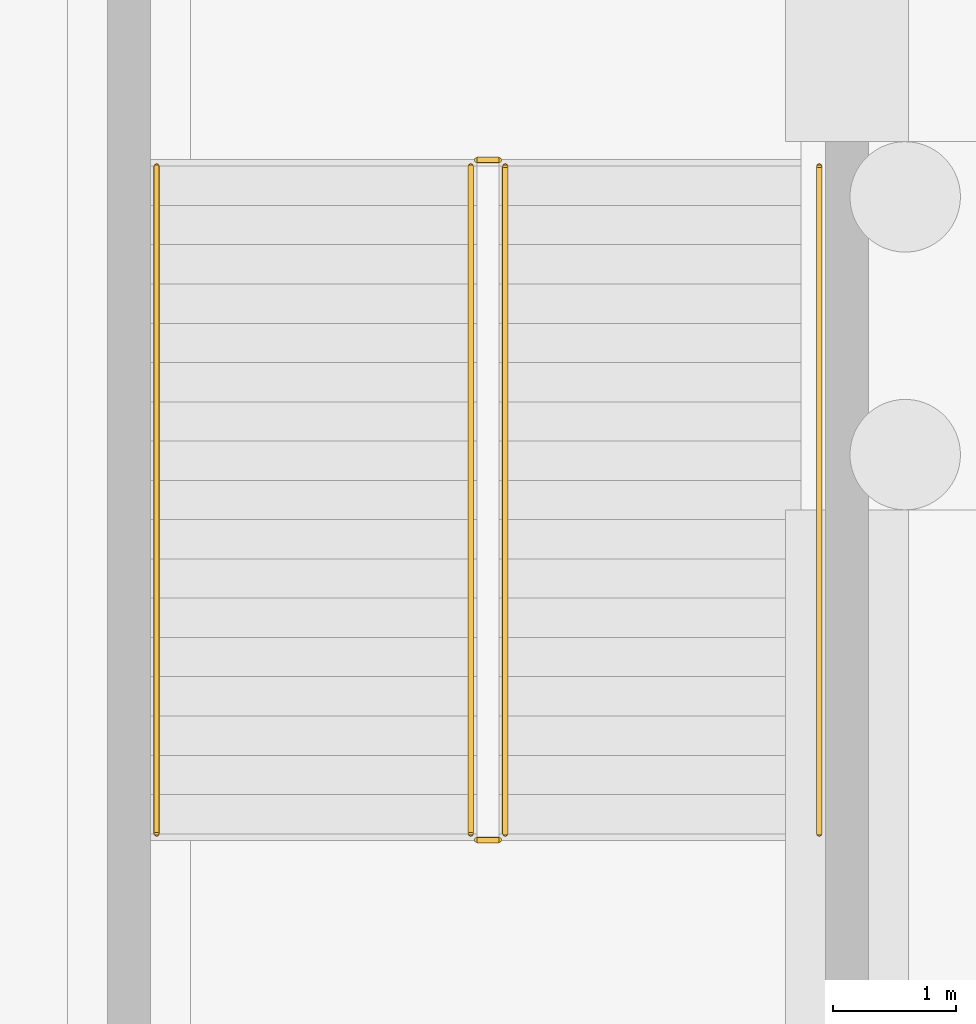
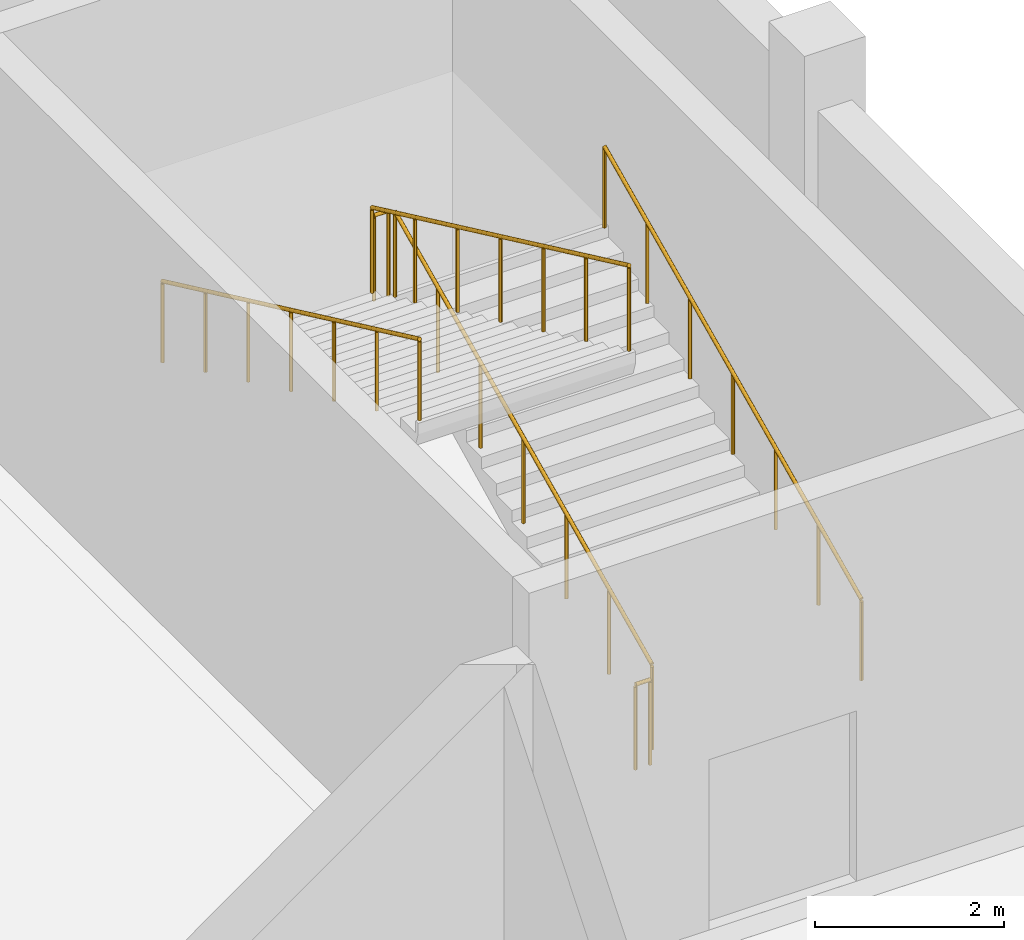
# One storey, part 56 of 58: 6 railings.
"""IFC4 building model written with IfcOpenShell, lengths in metres."""

from ifc_helpers import new_model, si_unit, direction, frame, origin, origin_2d, place, context, subcontext, project, spatial, circle, extrude, material, type_object, element, save


model = new_model("IFC4")

# Units and contexts
model_context = context("Model", 3, precision=1e-05, world=origin(), true_north=direction((0.0, 1.0)))
body_context = subcontext(model_context, "Body", "Model", "MODEL_VIEW")
ifc_project = project(units=[si_unit("LENGTHUNIT", "METRE"), si_unit("AREAUNIT", "SQUARE_METRE"), si_unit("VOLUMEUNIT", "CUBIC_METRE"), si_unit("PLANEANGLEUNIT", "RADIAN"), si_unit("MASSUNIT", "GRAM", prefix="KILO")], contexts=[model_context])

# Site, building, storey
site_placement = place(None, origin())
site = spatial("IfcSite", under=ifc_project, at=site_placement, CompositionType="ELEMENT")
building_placement = place(site_placement, origin())
building = spatial("IfcBuilding", under=site, at=building_placement, Name="Qamarlyn Nura Convention Centre", CompositionType="ELEMENT")
storey_placement = place(building_placement, frame((0.0, 0.0, -5.39990234375)))
storey = spatial("IfcBuildingStorey", under=building, at=storey_placement, Name="B01", CompositionType="ELEMENT", Elevation=-5.39990234375)

# Railings
ifc_material = material(Name="Marine Grade 316 stainless steel", Category="steel")
railing_type_1 = type_object("IfcRailingType", Name="GRD-STAIR-112", PredefinedType="BALUSTRADE", material=ifc_material)
railing_1_placement = place(storey_placement, frame((187.590087890625, 98.860107421875, 0.14990234375)))
element("IfcRailing", 1, at=railing_1_placement, inside=storey, type_object=railing_type_1, Name="B01 ST-18 stair guard 1", PredefinedType="BALUSTRADE", context=body_context, shape_type="SweptSolid", body=[
    extrude(circle(Radius=0.02392578125, at=origin_2d()), frame((0.0, 0.0, 1.09619140625), z_axis=(0.0, 0.90545405566, 0.424444287379), x_axis=(-1.0, 0.0, 0.0)), (0.0, 0.0, 1.0), 6.008056640625),
    extrude(circle(Radius=0.02099609375, at=origin_2d()), origin(), (0.0, 0.0, 1.0), 1.070068359375),
    extrude(circle(Radius=0.02099609375, at=origin_2d()), frame((0.0, 0.90673828125, 0.425048828125)), (0.0, 0.0, 1.0), 1.070068359375),
    extrude(circle(Radius=0.02099609375, at=origin_2d()), frame((0.0, 1.813232421875, 0.85009765625)), (0.0, 0.0, 1.0), 1.070068359375),
    extrude(circle(Radius=0.02099609375, at=origin_2d()), frame((0.0, 2.719970703125, 1.27490234375)), (0.0, 0.0, 1.0), 1.070068359375),
    extrude(circle(Radius=0.02099609375, at=origin_2d()), frame((0.0, 3.626708984375, 1.699951171875)), (0.0, 0.0, 1.0), 1.070068359375),
    extrude(circle(Radius=0.02099609375, at=origin_2d()), frame((0.0, 4.533203125, 2.125)), (0.0, 0.0, 1.0), 1.070068359375),
    extrude(circle(Radius=0.02099609375, at=origin_2d()), frame((0.0, 5.43994140625, 2.550048828125)), (0.0, 0.0, 1.0), 1.070068359375),
])
railing_2_placement = place(storey_placement, frame((187.5400390625, 104.35009765625, 2.699951171875)))
element("IfcRailing", 2, at=railing_2_placement, inside=storey, type_object=railing_type_1, Name="B01 ST-18 stair guard 2", PredefinedType="BALUSTRADE", context=body_context, shape_type="SweptSolid", body=[
    extrude(circle(Radius=0.02392578125, at=origin_2d()), frame((0.0, 0.0, 1.09619140625), z_axis=(-1.0, 0.0, 0.0), x_axis=(0.0, -1.0, 0.0)), (0.0, 0.0, 1.0), 0.179931640625),
    extrude(circle(Radius=0.02099609375, at=origin_2d()), origin(), (0.0, 0.0, 1.0), 1.070068359375),
    extrude(circle(Radius=0.02099609375, at=origin_2d()), frame((-0.179931640625, 0.0, 0.0)), (0.0, 0.0, 1.0), 1.070068359375),
])
railing_3_placement = place(storey_placement, frame((187.31005859375, 104.300048828125, 2.849853515625)))
element("IfcRailing", 3, at=railing_3_placement, inside=storey, type_object=railing_type_1, Name="B01 ST-18 stair guard 3", PredefinedType="BALUSTRADE", context=body_context, shape_type="SweptSolid", body=[
    extrude(circle(Radius=0.02392578125, at=origin_2d()), frame((0.0, 0.0, 1.09619140625), z_axis=(0.0, -0.90545405566, 0.424444287379), x_axis=(1.0, 0.0, 0.0)), (0.0, 0.0, 1.0), 6.008056640625),
    extrude(circle(Radius=0.02099609375, at=origin_2d()), origin(), (0.0, 0.0, 1.0), 1.070068359375),
    extrude(circle(Radius=0.02099609375, at=origin_2d()), frame((0.0, -0.90673828125, 0.425048828125)), (0.0, 0.0, 1.0), 1.070068359375),
    extrude(circle(Radius=0.02099609375, at=origin_2d()), frame((0.0, -1.813232421875, 0.85009765625)), (0.0, 0.0, 1.0), 1.070068359375),
    extrude(circle(Radius=0.02099609375, at=origin_2d()), frame((0.0, -2.719970703125, 1.27490234375)), (0.0, 0.0, 1.0), 1.070068359375),
    extrude(circle(Radius=0.02099609375, at=origin_2d()), frame((0.0, -3.626708984375, 1.699951171875)), (0.0, 0.0, 1.0), 1.070068359375),
    extrude(circle(Radius=0.02099609375, at=origin_2d()), frame((0.0, -4.533203125, 2.125)), (0.0, 0.0, 1.0), 1.070068359375),
    extrude(circle(Radius=0.02099609375, at=origin_2d()), frame((0.0, -5.43994140625, 2.550048828125)), (0.0, 0.0, 1.0), 1.070068359375),
])
railing_4_placement = place(storey_placement, frame((187.5400390625, 98.81005859375, 0.0)))
element("IfcRailing", 4, at=railing_4_placement, inside=storey, type_object=railing_type_1, Name="B01 ST-18 stair guard 4", PredefinedType="BALUSTRADE", context=body_context, shape_type="SweptSolid", body=[
    extrude(circle(Radius=0.02392578125, at=origin_2d()), frame((0.0, 0.0, 1.09619140625), z_axis=(-1.0, 0.0, 0.0), x_axis=(0.0, -1.0, 0.0)), (0.0, 0.0, 1.0), 0.179931640625),
    extrude(circle(Radius=0.02099609375, at=origin_2d()), origin(), (0.0, 0.0, 1.0), 1.070068359375),
    extrude(circle(Radius=0.02099609375, at=origin_2d()), frame((-0.179931640625, 0.0, 0.0)), (0.0, 0.0, 1.0), 1.070068359375),
])
railing_type_2 = type_object("IfcRailingType", Name="HRL-STAIR-090", PredefinedType="HANDRAIL", material=ifc_material)
railing_5_placement = place(storey_placement, frame((190.14990234375, 98.860107421875, 0.30224609375)))
element("IfcRailing", 5, at=railing_5_placement, inside=storey, type_object=railing_type_2, Name="B01 ST-18 stair handrail 1", PredefinedType="HANDRAIL", context=body_context, shape_type="SweptSolid", body=[
    extrude(circle(Radius=0.02392578125, at=origin_2d()), frame((0.0, 0.0, 0.88818359375), z_axis=(0.0, 0.90545405566, 0.424444287379), x_axis=(-1.0, 0.0, 0.0)), (0.0, 0.0, 1.0), 6.008056640625),
    extrude(circle(Radius=0.02099609375, at=origin_2d()), frame((0.0, 0.0, -0.155029296875)), (0.0, 0.0, 1.0), 1.01708984375),
    extrude(circle(Radius=0.02099609375, at=origin_2d()), frame((0.0, 0.90673828125, 0.27001953125)), (0.0, 0.0, 1.0), 1.01708984375),
    extrude(circle(Radius=0.02099609375, at=origin_2d()), frame((0.0, 1.813232421875, 0.695068359375)), (0.0, 0.0, 1.0), 1.01708984375),
    extrude(circle(Radius=0.02099609375, at=origin_2d()), frame((0.0, 2.719970703125, 1.1201171875)), (0.0, 0.0, 1.0), 1.01708984375),
    extrude(circle(Radius=0.02099609375, at=origin_2d()), frame((0.0, 3.626708984375, 1.544921875)), (0.0, 0.0, 1.0), 1.01708984375),
    extrude(circle(Radius=0.02099609375, at=origin_2d()), frame((0.0, 4.533203125, 1.969970703125)), (0.0, 0.0, 1.0), 1.01708984375),
    extrude(circle(Radius=0.02099609375, at=origin_2d()), frame((0.0, 5.43994140625, 2.39501953125)), (0.0, 0.0, 1.0), 1.01708984375),
])
railing_6_placement = place(storey_placement, frame((184.75, 104.300048828125, 3.002197265625)))
element("IfcRailing", 6, at=railing_6_placement, inside=storey, type_object=railing_type_2, Name="B01 ST-18 stair handrail 2", PredefinedType="HANDRAIL", context=body_context, shape_type="SweptSolid", body=[
    extrude(circle(Radius=0.02392578125, at=origin_2d()), frame((0.0, 0.0, 0.88818359375), z_axis=(0.0, -0.90545405566, 0.424444287379), x_axis=(1.0, 0.0, 0.0)), (0.0, 0.0, 1.0), 6.008056640625),
    extrude(circle(Radius=0.02099609375, at=origin_2d()), frame((0.0, 0.0, -0.155029296875)), (0.0, 0.0, 1.0), 1.01708984375),
    extrude(circle(Radius=0.02099609375, at=origin_2d()), frame((0.0, -0.90673828125, 0.27001953125)), (0.0, 0.0, 1.0), 1.01708984375),
    extrude(circle(Radius=0.02099609375, at=origin_2d()), frame((0.0, -1.813232421875, 0.695068359375)), (0.0, 0.0, 1.0), 1.01708984375),
    extrude(circle(Radius=0.02099609375, at=origin_2d()), frame((0.0, -2.719970703125, 1.1201171875)), (0.0, 0.0, 1.0), 1.01708984375),
    extrude(circle(Radius=0.02099609375, at=origin_2d()), frame((0.0, -3.626708984375, 1.544921875)), (0.0, 0.0, 1.0), 1.01708984375),
    extrude(circle(Radius=0.02099609375, at=origin_2d()), frame((0.0, -4.533203125, 1.969970703125)), (0.0, 0.0, 1.0), 1.01708984375),
    extrude(circle(Radius=0.02099609375, at=origin_2d()), frame((0.0, -5.43994140625, 2.39501953125)), (0.0, 0.0, 1.0), 1.01708984375),
])

save(model, "model.ifc")
